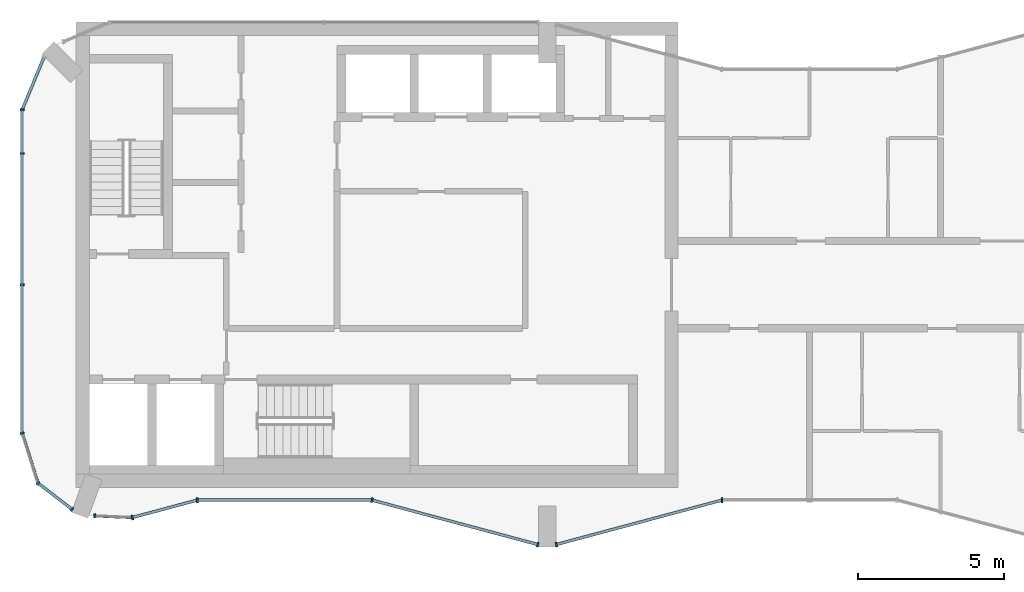
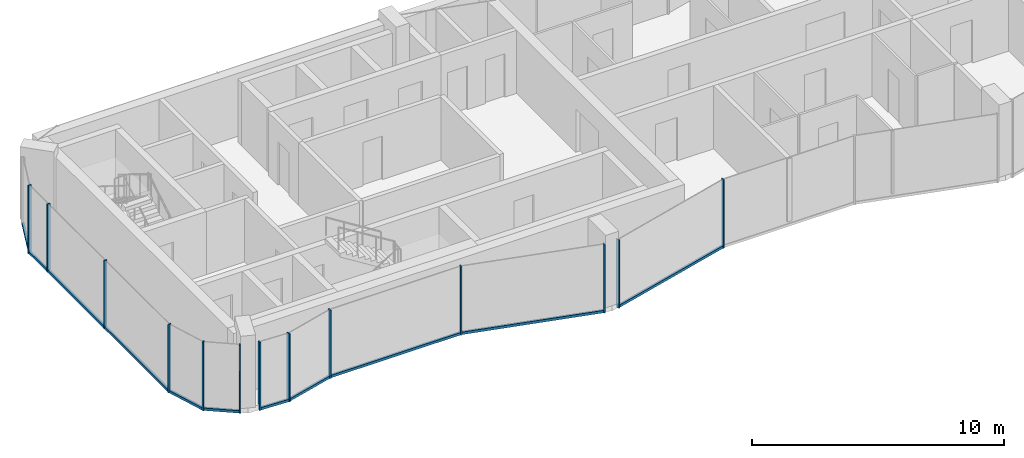
# One storey, part 2 of 10: 22 members, 10 elements without a shape of their own.
"""IFC4 building model written with IfcOpenShell, lengths in metres."""

import ifcopenshell
import ifcopenshell.guid

model = None  # the IFC model being written
_history = None  # IfcOwnerHistory: only IFC2X3 demands one
_inside = {}  # id of a spatial element -> (the spatial element, [elements in it])
_under = {}  # id of a project, library or spatial element -> (it, [spatial elements below it])
_declared = {}  # id of a project -> (the project, [libraries it declares])
_typed = {}  # id of a type object -> (the type object, [elements of that type])
_made_of = {}  # id of a material, layer set ... -> (it, [elements and type objects made of it])


def new_model(schema):
    """Start an empty IFC model of exactly this schema.

    Asked for "IFC4X3", IfcOpenShell would pick the latest addendum, in which some entities
    have other attributes; the version numbers below select the first issue.
    IFC2X3 requires an IfcOwnerHistory on every rooted entity: one is made here for all.
    """
    global model, _history
    if schema == "IFC4X3":
        model = ifcopenshell.file(schema_version=(4, 3, 0, 0))
    else:
        model = ifcopenshell.file(schema=schema)
    _inside.clear()
    _under.clear()
    _declared.clear()
    _typed.clear()
    _made_of.clear()
    _history = None
    if model.schema == "IFC2X3":
        org = make("IfcOrganization", Name="unknown")
        user = make(
            "IfcPersonAndOrganization",
            ThePerson=make("IfcPerson", FamilyName="unknown"),
            TheOrganization=org,
        )
        app = make(
            "IfcApplication",
            ApplicationDeveloper=org,
            Version="unknown",
            ApplicationFullName="unknown",
            ApplicationIdentifier="unknown",
        )
        _history = make(
            "IfcOwnerHistory",
            OwningUser=user,
            OwningApplication=app,
            ChangeAction="ADDED",
            CreationDate=0,
        )
    return model


def make(cls, **values):
    """One entity of the class cls with the attributes given. An attribute that is None is left unset."""
    return model.create_entity(
        cls, **{name: value for name, value in values.items() if value is not None}
    )


def rooted(cls, **values):
    """An entity with a GlobalId (a new one), such as an element, a storey or a relation."""
    return make(cls, GlobalId=ifcopenshell.guid.new(), OwnerHistory=_history, **values)


def si_unit(unit_type, name, prefix=None):
    """IfcSIUnit, for example si_unit("LENGTHUNIT", "METRE", prefix="MILLI")."""
    return make("IfcSIUnit", UnitType=unit_type, Prefix=prefix, Name=name)


def assignment(units):
    """IfcUnitAssignment: the units of a project."""
    return None if units is None else make("IfcUnitAssignment", Units=units)


def point(xyz):
    """IfcCartesianPoint."""
    return None if xyz is None else make("IfcCartesianPoint", Coordinates=xyz)


def direction(xyz):
    """IfcDirection."""
    return None if xyz is None else make("IfcDirection", DirectionRatios=xyz)


def frame(location, z_axis=None, x_axis=None):
    """IfcAxis2Placement3D, a coordinate frame: its origin and axes. An axis left out is left unset."""
    return make(
        "IfcAxis2Placement3D",
        Location=point(location),
        Axis=direction(z_axis),
        RefDirection=direction(x_axis),
    )


def frame_2d(location, x_axis=None):
    """IfcAxis2Placement2D, a coordinate frame in the plane: its origin and x axis."""
    return make(
        "IfcAxis2Placement2D", Location=point(location), RefDirection=direction(x_axis)
    )


def origin():
    """The frame at (0, 0, 0) with its axes left unset."""
    return frame((0.0, 0.0, 0.0))


def origin_2d():
    """The frame at (0, 0) in the plane with its x axis left unset."""
    return frame_2d((0.0, 0.0))


def place(relative_to, where):
    """IfcLocalPlacement: puts the frame where relative to a parent placement (None: the world)."""
    return make(
        "IfcLocalPlacement", PlacementRelTo=relative_to, RelativePlacement=where
    )


def context(
    kind, dimensions, precision=None, world=None, true_north=None, identifier=None
):
    """IfcGeometricRepresentationContext, for example the 3D "Model" context."""
    return make(
        "IfcGeometricRepresentationContext",
        ContextIdentifier=identifier,
        ContextType=kind,
        CoordinateSpaceDimension=dimensions,
        Precision=precision,
        WorldCoordinateSystem=world,
        TrueNorth=true_north,
    )


def subcontext(parent, identifier, kind, view, scale=None):
    """IfcGeometricRepresentationSubContext, for example "Body" below "Model"."""
    return make(
        "IfcGeometricRepresentationSubContext",
        ContextIdentifier=identifier,
        ContextType=kind,
        ParentContext=parent,
        TargetScale=scale,
        TargetView=view,
    )


def project(units=None, contexts=None):
    """IfcProject with its units and contexts."""
    return rooted(
        "IfcProject",
        Name="project",
        RepresentationContexts=contexts,
        UnitsInContext=assignment(units),
    )


def spatial(cls, under=None, at=None, **own):
    """A site, building, storey or space (cls), placed at a placement, below another one or the project."""
    s = rooted(cls, ObjectPlacement=at, **own)
    if under is not None:
        _under.setdefault(under.id(), (under, []))[1].append(s)
    return s


def profile(cls, at=None, kind="AREA", **sizes):
    """A parametric profile (cls). Its sizes go by their IFC names, for example OverallWidth=200.0."""
    return make(cls, ProfileType=kind, Position=at, **sizes)


def rectangle(**sizes):
    """IfcRectangleProfileDef."""
    return profile("IfcRectangleProfileDef", **sizes)


def extrude(swept, where, along, depth):
    """IfcExtrudedAreaSolid: the profile swept, set in the frame where, extruded along a direction by depth."""
    return make(
        "IfcExtrudedAreaSolid",
        SweptArea=swept,
        Position=where,
        ExtrudedDirection=direction(along),
        Depth=depth,
    )


def shape(context_of_items, identifier, shape_type, items):
    """IfcShapeRepresentation: the items that make up one representation, for example the "Body"."""
    return make(
        "IfcShapeRepresentation",
        ContextOfItems=context_of_items,
        RepresentationIdentifier=identifier,
        RepresentationType=shape_type,
        Items=items,
    )


def material(Name=None, Category=None):
    """IfcMaterial."""
    return make("IfcMaterial", Name=Name, Category=Category)


def layer(
    of_material, thickness, ventilated=None, Name=None, Category=None, Priority=None
):
    """IfcMaterialLayer: one layer of a wall or slab, of a material (None: an air gap)."""
    return make(
        "IfcMaterialLayer",
        Material=of_material,
        LayerThickness=thickness,
        IsVentilated=ventilated,
        Name=Name,
        Category=Category,
        Priority=Priority,
    )


def layer_set(layers, Name=None):
    """IfcMaterialLayerSet."""
    return make("IfcMaterialLayerSet", MaterialLayers=layers, LayerSetName=Name)


def material_profile(
    of_material, cross_section, Name=None, Category=None, Priority=None
):
    """IfcMaterialProfile: a cross section and its material."""
    return make(
        "IfcMaterialProfile",
        Name=Name,
        Material=of_material,
        Profile=cross_section,
        Priority=Priority,
        Category=Category,
    )


def profile_set(profiles, Name=None, composite=None):
    """IfcMaterialProfileSet."""
    return make(
        "IfcMaterialProfileSet",
        Name=Name,
        MaterialProfiles=profiles,
        CompositeProfile=composite,
    )


def made_of(thing, what):
    """Note that an element or type object is made of a material, layer set ...; save() writes the relation."""
    if what is not None:
        _made_of.setdefault(what.id(), (what, []))[1].append(thing)
    return thing


def type_object(cls, material=None, **own):
    """A type object (cls), such as IfcWallType, which elements share."""
    return made_of(rooted(cls, **own), material)


def element(
    cls,
    number,
    at=None,
    inside=None,
    cuts=None,
    type_object=None,
    material=None,
    context=None,
    identifier="Body",
    shape_type=None,
    held_by="IfcProductDefinitionShape",
    body=None,
    shapes=None,
    **own,
):
    """One element of the class cls, such as IfcWall. Its Tag is "e" and its number.

    at: its placement. inside: the storey or other place that contains it. cuts: it is an
    opening in that element (IfcRelVoidsElement). A single representation is given by context,
    identifier, shape_type and body (its items); several are given by shapes. held_by: the class
    of the entity that holds the representations. save() writes the other relations.
    """
    e = rooted(cls, Tag="e%d" % number, ObjectPlacement=at, **own)
    if body is not None:
        shapes = [shape(context, identifier, shape_type, body)]
    if shapes is not None:
        e.Representation = make(held_by, Representations=shapes)
    if inside is not None:
        _inside.setdefault(inside.id(), (inside, []))[1].append(e)
    if cuts is not None:
        rooted(
            "IfcRelVoidsElement", RelatingBuildingElement=cuts, RelatedOpeningElement=e
        )
    if type_object is not None:
        _typed.setdefault(type_object.id(), (type_object, []))[1].append(e)
    return made_of(e, material)


def aggregate(whole, parts):
    """IfcRelAggregates: a whole, such as a stair, and the parts it consists of."""
    return rooted("IfcRelAggregates", RelatingObject=whole, RelatedObjects=parts)


def save(model, path):
    """Write the relations noted so far, then the file.

    IfcRelAggregates (storeys below a building ...), IfcRelContainedInSpatialStructure (elements
    in a storey), IfcRelDefinesByType, IfcRelAssociatesMaterial and IfcRelDeclares: one each for
    every whole, place, type object, material and project.
    """
    for whole, parts in _under.values():
        aggregate(whole, parts)
    for where, things in _inside.values():
        rooted(
            "IfcRelContainedInSpatialStructure",
            RelatedElements=things,
            RelatingStructure=where,
        )
    for kind, things in _typed.values():
        rooted("IfcRelDefinesByType", RelatedObjects=things, RelatingType=kind)
    for what, things in _made_of.values():
        rooted("IfcRelAssociatesMaterial", RelatedObjects=things, RelatingMaterial=what)
    for by, libraries in _declared.values():
        rooted("IfcRelDeclares", RelatingContext=by, RelatedDefinitions=libraries)
    model.write(path)


model = new_model("IFC4")

# Units and contexts
model_context = context("Model", 3, precision=1e-05, world=origin(), true_north=direction((0.0, 1.0)))
body_context = subcontext(model_context, "Body", "Model", "MODEL_VIEW")
ifc_project = project(units=[si_unit("LENGTHUNIT", "METRE"), si_unit("AREAUNIT", "SQUARE_METRE"), si_unit("VOLUMEUNIT", "CUBIC_METRE"), si_unit("PLANEANGLEUNIT", "RADIAN"), si_unit("MASSUNIT", "GRAM", prefix="KILO")], contexts=[model_context])

# Site, building, storey
site_placement = place(None, origin())
site = spatial("IfcSite", under=ifc_project, at=site_placement, CompositionType="ELEMENT")
building_placement = place(site_placement, origin())
building = spatial("IfcBuilding", under=site, at=building_placement, Name="Plateau Cross Towers", CompositionType="ELEMENT")
storey_placement = place(building_placement, frame((0.0, 0.0, 284.39990234375)))
storey = spatial("IfcBuildingStorey", under=building, at=storey_placement, Name="L75", CompositionType="ELEMENT", Elevation=284.39990234375)

# Curtain wall, members
ifc_material_1 = material(Name="Dark low-iron glass", Category="glass")
ifc_layer_1 = layer(ifc_material_1, 0.239990234375)
ifc_layer_set_1 = layer_set([ifc_layer_1], Name="Dark low-iron glass")
curtain_wall_type_1 = type_object("IfcCurtainWallType", Name="Curtain wall flush unitised CW-B", PredefinedType="NOTDEFINED", material=ifc_layer_set_1)
curtain_wall_1_placement = place(storey_placement, origin())
curtain_wall_1 = element("IfcCurtainWall", 1, at=curtain_wall_1_placement, inside=storey, type_object=curtain_wall_type_1, Name="ENV/A/L75/A0_150", PredefinedType="NOTDEFINED")
ifc_material_2 = material(Name="Black anodised aluminium", Category="aluminium")
ifc_material_profile_1 = material_profile(ifc_material_2, rectangle(XDim=0.06005859375, YDim=0.139892578125, at=origin_2d()), Name="MULLION 60x140")
ifc_profile_set_1 = profile_set([ifc_material_profile_1], Name="Black anodised aluminium")
member_type_1 = type_object("IfcMemberType", Name="Mullion 60x140 flush unitised", PredefinedType="MULLION", material=ifc_profile_set_1)
member_1_placement = place(storey_placement, frame((0.0, 15.0, -0.25), z_axis=(0.0, 0.0, 1.0), x_axis=(0.0, -1.0, 0.0)))
member_1 = element("IfcMember", 2, at=member_1_placement, type_object=member_type_1, Name="CW-B mullion 1", PredefinedType="MULLION", context=body_context, shape_type="SweptSolid", body=[
    extrude(rectangle(XDim=0.06005859375, YDim=0.139892578125, at=origin_2d()), origin(), (0.0, 0.0, 1.0), 3.300048828125),
])
member_2_placement = place(storey_placement, frame((0.0, 13.5, -0.25), z_axis=(0.0, 0.0, 1.0), x_axis=(0.0, -1.0, 0.0)))
member_2 = element("IfcMember", 3, at=member_2_placement, type_object=member_type_1, Name="CW-B mullion 2", PredefinedType="MULLION", context=body_context, shape_type="SweptSolid", body=[
    extrude(rectangle(XDim=0.06005859375, YDim=0.139892578125, at=origin_2d()), origin(), (0.0, 0.0, 1.0), 3.300048828125),
])
member_3_placement = place(storey_placement, frame((0.0, 9.0, -0.25), z_axis=(0.0, 0.0, 1.0), x_axis=(0.0, -1.0, 0.0)))
member_3 = element("IfcMember", 4, at=member_3_placement, type_object=member_type_1, Name="CW-B mullion 3", PredefinedType="MULLION", context=body_context, shape_type="SweptSolid", body=[
    extrude(rectangle(XDim=0.06005859375, YDim=0.139892578125, at=origin_2d()), origin(), (0.0, 0.0, 1.0), 3.300048828125),
])

# Curtain wall, member
curtain_wall_2_placement = place(storey_placement, origin())
curtain_wall_2 = element("IfcCurtainWall", 5, at=curtain_wall_2_placement, inside=storey, type_object=curtain_wall_type_1, Name="ENV/A/L75/A0_39", PredefinedType="NOTDEFINED")
member_4_placement = place(storey_placement, frame((0.0, 3.9091796875, -0.25), z_axis=(0.0, 0.0, 1.0), x_axis=(0.300686174994, -0.95372313811, 0.0)))
member_4 = element("IfcMember", 6, at=member_4_placement, type_object=member_type_1, Name="CW-B mullion 1", PredefinedType="MULLION", context=body_context, shape_type="SweptSolid", body=[
    extrude(rectangle(XDim=0.06005859375, YDim=0.139892578125, at=origin_2d()), origin(), (0.0, 0.0, 1.0), 3.300048828125),
])

# Curtain wall, members
curtain_wall_3_placement = place(storey_placement, origin())
curtain_wall_3 = element("IfcCurtainWall", 7, at=curtain_wall_3_placement, inside=storey, type_object=curtain_wall_type_1, Name="ENV/A/L75/A5_22", PredefinedType="NOTDEFINED")
member_5_placement = place(storey_placement, frame((0.54248046875, 2.1884765625, -0.25), z_axis=(0.0, 0.0, 1.0), x_axis=(0.793315514529, -0.608810721331, 0.0)))
member_5 = element("IfcMember", 8, at=member_5_placement, type_object=member_type_1, Name="CW-B mullion 1", PredefinedType="MULLION", context=body_context, shape_type="SweptSolid", body=[
    extrude(rectangle(XDim=0.06005859375, YDim=0.139892578125, at=origin_2d()), origin(), (0.0, 0.0, 1.0), 3.300048828125),
])
member_6_placement = place(storey_placement, frame((1.709716796875, 1.292724609375, -0.25), z_axis=(0.0, 0.0, 1.0), x_axis=(0.793315514529, -0.608810721331, 0.0)))
member_6 = element("IfcMember", 9, at=member_6_placement, type_object=member_type_1, Name="CW-B mullion 2", PredefinedType="MULLION", context=body_context, shape_type="SweptSolid", body=[
    extrude(rectangle(XDim=0.06005859375, YDim=0.139892578125, at=origin_2d()), origin(), (0.0, 0.0, 1.0), 3.300048828125),
])

# Curtain wall, member
curtain_wall_4_placement = place(storey_placement, origin())
curtain_wall_4 = element("IfcCurtainWall", 10, at=curtain_wall_4_placement, inside=storey, type_object=curtain_wall_type_1, Name="ENV/A/L75/A25_11", PredefinedType="NOTDEFINED")
member_7_placement = place(storey_placement, frame((2.483642578125, 1.06787109375, -0.25), z_axis=(0.0, 0.0, 1.0), x_axis=(0.999043701491, -0.043722791671, 0.0)))
member_7 = element("IfcMember", 11, at=member_7_placement, type_object=member_type_1, Name="CW-B mullion 1", PredefinedType="MULLION", context=body_context, shape_type="SweptSolid", body=[
    extrude(rectangle(XDim=0.06005859375, YDim=0.139892578125, at=origin_2d()), origin(), (0.0, 0.0, 1.0), 3.300048828125),
])

ifc_layer_2 = layer(ifc_material_1, 0.260009765625)
ifc_layer_set_2 = layer_set([ifc_layer_2], Name="Dark low-iron glass")
curtain_wall_type_2 = type_object("IfcCurtainWallType", Name="Curtain wall fluted unitised CW-A", PredefinedType="NOTDEFINED", material=ifc_layer_set_2)
curtain_wall_5_placement = place(storey_placement, origin())
curtain_wall_5 = element("IfcCurtainWall", 12, at=curtain_wall_5_placement, inside=storey, type_object=curtain_wall_type_2, Name="ENV/A/L75/A38_10", PredefinedType="NOTDEFINED")
ifc_material_profile_2 = material_profile(ifc_material_2, rectangle(XDim=0.06005859375, YDim=0.159912109375, at=origin_2d()), Name="MULLION 60x160")
ifc_profile_set_2 = profile_set([ifc_material_profile_2], Name="Black anodised aluminium")
member_type_2 = type_object("IfcMemberType", Name="Mullion 60x160 fluted unitised", PredefinedType="MULLION", material=ifc_profile_set_2)
member_8_placement = place(storey_placement, frame((3.776123046875, 1.01123046875, -0.25), z_axis=(0.0, 0.0, 1.0), x_axis=(0.965957962328, 0.258699081978, 0.0)))
member_8 = element("IfcMember", 13, at=member_8_placement, type_object=member_type_2, Name="CW-A mullion 1", PredefinedType="MULLION", context=body_context, shape_type="SweptSolid", body=[
    extrude(rectangle(XDim=0.06005859375, YDim=0.159912109375, at=origin_2d()), origin(), (0.0, 0.0, 1.0), 3.300048828125),
])

curtain_wall_6_placement = place(storey_placement, origin())
curtain_wall_6 = element("IfcCurtainWall", 14, at=curtain_wall_6_placement, inside=storey, type_object=curtain_wall_type_2, Name="ENV/A/L75/A60_16", PredefinedType="NOTDEFINED")
member_9_placement = place(storey_placement, frame((6.0, 1.60693359375, -0.25), z_axis=(0.0, 0.0, 1.0), x_axis=(1.0, 0.0, 0.0)))
member_9 = element("IfcMember", 15, at=member_9_placement, type_object=member_type_2, Name="CW-A mullion 1", PredefinedType="MULLION", context=body_context, shape_type="SweptSolid", body=[
    extrude(rectangle(XDim=0.06005859375, YDim=0.159912109375, at=origin_2d()), origin(), (0.0, 0.0, 1.0), 3.300048828125),
])

# Curtain wall, members
curtain_wall_7_placement = place(storey_placement, origin())
curtain_wall_7 = element("IfcCurtainWall", 16, at=curtain_wall_7_placement, inside=storey, type_object=curtain_wall_type_2, Name="ENV/A/L75/A120_16", PredefinedType="NOTDEFINED")
member_10_placement = place(storey_placement, frame((12.0, 1.60693359375, -0.25), z_axis=(0.0, 0.0, 1.0), x_axis=(0.965957983404, -0.258699003279, 0.0)))
member_10 = element("IfcMember", 17, at=member_10_placement, type_object=member_type_2, Name="CW-A mullion 1", PredefinedType="MULLION", context=body_context, shape_type="SweptSolid", body=[
    extrude(rectangle(XDim=0.06005859375, YDim=0.159912109375, at=origin_2d()), origin(), (0.0, 0.0, 1.0), 3.300048828125),
])
member_11_placement = place(storey_placement, frame((17.68212890625, 0.085205078125, -0.25), z_axis=(0.0, 0.0, 1.0), x_axis=(0.965957983404, -0.258699003279, 0.0)))
member_11 = element("IfcMember", 18, at=member_11_placement, type_object=member_type_2, Name="CW-A mullion 2", PredefinedType="MULLION", context=body_context, shape_type="SweptSolid", body=[
    extrude(rectangle(XDim=0.06005859375, YDim=0.159912109375, at=origin_2d()), origin(), (0.0, 0.0, 1.0), 3.300048828125),
])

# Curtain wall, member
curtain_wall_8_placement = place(storey_placement, origin())
curtain_wall_8 = element("IfcCurtainWall", 19, at=curtain_wall_8_placement, inside=storey, type_object=curtain_wall_type_2, Name="ENV/A/L75/A183_1", PredefinedType="NOTDEFINED")
member_12_placement = place(storey_placement, frame((18.31787109375, 0.085205078125, -0.25), z_axis=(0.0, 0.0, 1.0), x_axis=(0.965957983404, 0.258699003279, 0.0)))
member_12 = element("IfcMember", 20, at=member_12_placement, type_object=member_type_2, Name="CW-A mullion 1", PredefinedType="MULLION", context=body_context, shape_type="SweptSolid", body=[
    extrude(rectangle(XDim=0.06005859375, YDim=0.159912109375, at=origin_2d()), origin(), (0.0, 0.0, 1.0), 3.300048828125),
])

curtain_wall_9_placement = place(storey_placement, origin())
curtain_wall_9 = element("IfcCurtainWall", 21, at=curtain_wall_9_placement, inside=storey, type_object=curtain_wall_type_2, Name="ENV/A/L75/A240_16", PredefinedType="NOTDEFINED")
member_13_placement = place(storey_placement, frame((24.0, 1.60693359375, -0.25), z_axis=(0.0, 0.0, 1.0), x_axis=(1.0, 0.0, 0.0)))
member_13 = element("IfcMember", 22, at=member_13_placement, type_object=member_type_2, Name="CW-A mullion 1", PredefinedType="MULLION", context=body_context, shape_type="SweptSolid", body=[
    extrude(rectangle(XDim=0.06005859375, YDim=0.159912109375, at=origin_2d()), origin(), (0.0, 0.0, 1.0), 3.300048828125),
])
aggregate(curtain_wall_9, [member_13])

curtain_wall_10_placement = place(storey_placement, origin())
curtain_wall_10 = element("IfcCurtainWall", 23, at=curtain_wall_10_placement, inside=storey, type_object=curtain_wall_type_1, Name="ENV/A/L75/A7_168", PredefinedType="NOTDEFINED")
ifc_material_profile_3 = material_profile(ifc_material_2, rectangle(XDim=0.10009765625, YDim=0.1201171875, at=origin_2d()), Name="TRANSOM 100x120")
ifc_profile_set_3 = profile_set([ifc_material_profile_3], Name="Black anodised aluminium")
member_type_3 = type_object("IfcMemberType", Name="Transom 100x120 flush unitised", PredefinedType="USERDEFINED", material=ifc_profile_set_3)
member_14_placement = place(storey_placement, frame((0.748046875, 16.805908203125, -0.18994140625), z_axis=(-0.382690071798, -0.92387678234, 0.0), x_axis=(0.92387678234, -0.382690071798, 0.0)))
member_14 = element("IfcMember", 24, at=member_14_placement, type_object=member_type_3, Name="CW-B transom", ObjectType="TRANSOM", PredefinedType="USERDEFINED", context=body_context, shape_type="SweptSolid", body=[
    extrude(rectangle(XDim=0.10009765625, YDim=0.1201171875, at=origin_2d()), origin(), (0.0, 0.0, 1.0), 1.95458984375),
])
aggregate(curtain_wall_10, [member_14])

# Member
member_15_placement = place(storey_placement, frame((0.0, 15.0, -0.18994140625), z_axis=(0.0, -1.0, 0.0), x_axis=(1.0, 0.0, 0.0)))
member_15 = element("IfcMember", 25, at=member_15_placement, type_object=member_type_3, Name="CW-B transom", ObjectType="TRANSOM", PredefinedType="USERDEFINED", context=body_context, shape_type="SweptSolid", body=[
    extrude(rectangle(XDim=0.10009765625, YDim=0.1201171875, at=origin_2d()), origin(), (0.0, 0.0, 1.0), 11.0908203125),
])

aggregate(curtain_wall_1, [member_1, member_2, member_3, member_15])

member_16_placement = place(storey_placement, frame((0.0, 3.9091796875, -0.18994140625), z_axis=(0.30067799945, -0.953725715626, 0.0), x_axis=(0.953725715626, 0.30067799945, 0.0)))
member_16 = element("IfcMember", 26, at=member_16_placement, type_object=member_type_3, Name="CW-B transom", ObjectType="TRANSOM", PredefinedType="USERDEFINED", context=body_context, shape_type="SweptSolid", body=[
    extrude(rectangle(XDim=0.10009765625, YDim=0.1201171875, at=origin_2d()), origin(), (0.0, 0.0, 1.0), 1.80419921875),
])

aggregate(curtain_wall_2, [member_4, member_16])

member_17_placement = place(storey_placement, frame((0.54248046875, 2.1884765625, -0.18994140625), z_axis=(0.793320508571, -0.608804213751, 0.0), x_axis=(0.608804213751, 0.793320508571, 0.0)))
member_17 = element("IfcMember", 27, at=member_17_placement, type_object=member_type_3, Name="CW-B transom", ObjectType="TRANSOM", PredefinedType="USERDEFINED", context=body_context, shape_type="SweptSolid", body=[
    extrude(rectangle(XDim=0.10009765625, YDim=0.1201171875, at=origin_2d()), origin(), (0.0, 0.0, 1.0), 1.471435546875),
])

aggregate(curtain_wall_3, [member_5, member_6, member_17])

member_18_placement = place(storey_placement, frame((2.483642578125, 1.06787109375, -0.18994140625), z_axis=(0.999041144614, -0.043781175963, 0.0), x_axis=(0.043781175963, 0.999041144614, 0.0)))
member_18 = element("IfcMember", 28, at=member_18_placement, type_object=member_type_3, Name="CW-B transom", ObjectType="TRANSOM", PredefinedType="USERDEFINED", context=body_context, shape_type="SweptSolid", body=[
    extrude(rectangle(XDim=0.10009765625, YDim=0.1201171875, at=origin_2d()), origin(), (0.0, 0.0, 1.0), 1.293701171875),
])

aggregate(curtain_wall_4, [member_7, member_18])

ifc_material_profile_4 = material_profile(ifc_material_2, rectangle(XDim=0.10009765625, YDim=0.1201171875, at=origin_2d()), Name="TRANSOM 100x120")
ifc_profile_set_4 = profile_set([ifc_material_profile_4], Name="Black anodised aluminium")
member_type_4 = type_object("IfcMemberType", Name="Transom 100x120 fluted unitised", PredefinedType="USERDEFINED", material=ifc_profile_set_4)
member_19_placement = place(storey_placement, frame((3.776123046875, 1.01123046875, -0.18994140625), z_axis=(0.965945685136, 0.258744919501, 0.0), x_axis=(-0.258744919501, 0.965945685136, 0.0)))
member_19 = element("IfcMember", 29, at=member_19_placement, type_object=member_type_4, Name="CW-A transom", ObjectType="TRANSOM", PredefinedType="USERDEFINED", context=body_context, shape_type="SweptSolid", body=[
    extrude(rectangle(XDim=0.10009765625, YDim=0.1201171875, at=origin_2d()), origin(), (0.0, 0.0, 1.0), 2.30224609375),
])

aggregate(curtain_wall_5, [member_8, member_19])

member_20_placement = place(storey_placement, frame((6.0, 1.60693359375, -0.18994140625), z_axis=(1.0, 0.0, 0.0), x_axis=(0.0, 1.0, 0.0)))
member_20 = element("IfcMember", 30, at=member_20_placement, type_object=member_type_4, Name="CW-A transom", ObjectType="TRANSOM", PredefinedType="USERDEFINED", context=body_context, shape_type="SweptSolid", body=[
    extrude(rectangle(XDim=0.10009765625, YDim=0.1201171875, at=origin_2d()), origin(), (0.0, 0.0, 1.0), 6.0),
])

aggregate(curtain_wall_6, [member_9, member_20])

member_21_placement = place(storey_placement, frame((12.0, 1.60693359375, -0.18994140625), z_axis=(0.965959534794, -0.258693210465, 0.0), x_axis=(0.258693210465, 0.965959534794, 0.0)))
member_21 = element("IfcMember", 31, at=member_21_placement, type_object=member_type_4, Name="CW-A transom", ObjectType="TRANSOM", PredefinedType="USERDEFINED", context=body_context, shape_type="SweptSolid", body=[
    extrude(rectangle(XDim=0.10009765625, YDim=0.1201171875, at=origin_2d()), origin(), (0.0, 0.0, 1.0), 5.88232421875),
])

aggregate(curtain_wall_7, [member_10, member_11, member_21])

member_22_placement = place(storey_placement, frame((18.31787109375, 0.085205078125, -0.18994140625), z_axis=(0.965959534794, 0.258693210465, 0.0), x_axis=(-0.258693210465, 0.965959534794, 0.0)))
member_22 = element("IfcMember", 32, at=member_22_placement, type_object=member_type_4, Name="CW-A transom", ObjectType="TRANSOM", PredefinedType="USERDEFINED", context=body_context, shape_type="SweptSolid", body=[
    extrude(rectangle(XDim=0.10009765625, YDim=0.1201171875, at=origin_2d()), origin(), (0.0, 0.0, 1.0), 5.88232421875),
])

aggregate(curtain_wall_8, [member_12, member_22])

save(model, "model.ifc")
